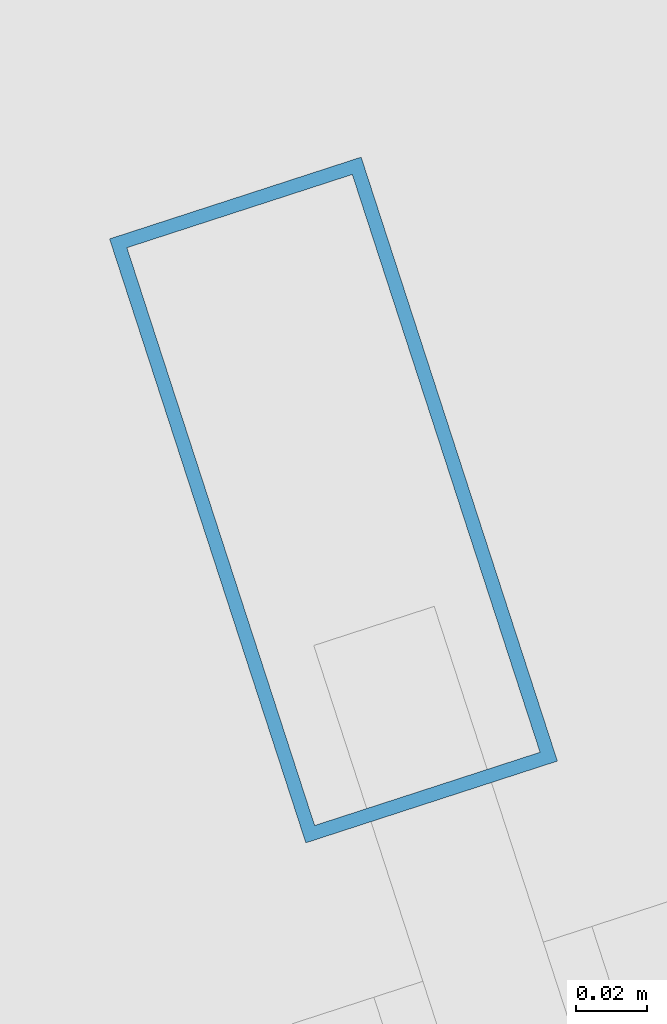
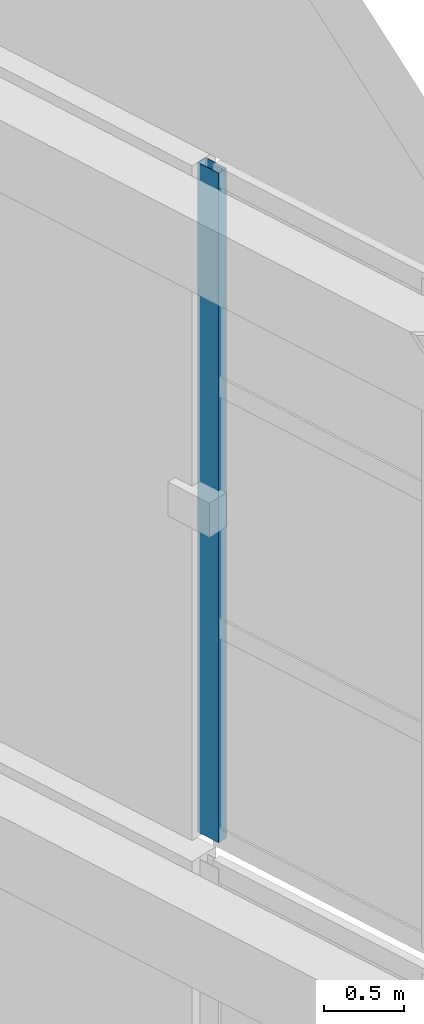
# One storey, part 43 of 56: 1 member, 1 element without a shape of its own.
"""IFC4 building model written with IfcOpenShell, lengths in metres."""

from ifc_helpers import new_model, si_unit, direction, frame, origin, origin_2d, place, context, subcontext, project, spatial, hollow_rectangle, extrude, material, layer, layer_set, material_profile, profile_set, type_object, element, aggregate, save


model = new_model("IFC4")

# Units and contexts
model_context = context("Model", 3, precision=1e-05, world=origin(), true_north=direction((0.0, 1.0)))
body_context = subcontext(model_context, "Body", "Model", "MODEL_VIEW")
ifc_project = project(units=[si_unit("LENGTHUNIT", "METRE"), si_unit("AREAUNIT", "SQUARE_METRE"), si_unit("VOLUMEUNIT", "CUBIC_METRE"), si_unit("PLANEANGLEUNIT", "RADIAN"), si_unit("MASSUNIT", "GRAM", prefix="KILO")], contexts=[model_context])

# Site, building, storey
site_placement = place(None, origin())
site = spatial("IfcSite", under=ifc_project, at=site_placement, CompositionType="ELEMENT")
building_placement = place(site_placement, origin())
building = spatial("IfcBuilding", under=site, at=building_placement, Name="Qiaolan Cultural Towers", CompositionType="ELEMENT")
storey_placement = place(building_placement, frame((0.0, 0.0, 250.39990234375)))
storey = spatial("IfcBuildingStorey", under=building, at=storey_placement, Name="L68", CompositionType="ELEMENT", Elevation=250.39990234375)

# Curtain wall, member
ifc_material_1 = material(Name="Unitized Anodized Aluminium Curtain Wall System", Category="aluminium")
ifc_layer = layer(ifc_material_1, 0.199951171875)
ifc_layer_set = layer_set([ifc_layer], Name="Unitized Anodized Aluminium Curtain Wall System")
curtain_wall_type = type_object("IfcCurtainWallType", Name="CWS-06", PredefinedType="NOTDEFINED", material=ifc_layer_set)
curtain_wall_placement = place(storey_placement, origin())
curtain_wall = element("IfcCurtainWall", 1, at=curtain_wall_placement, inside=storey, type_object=curtain_wall_type, Name="T2 Crown Tier 5 Fritted Screen Curtain Wall 3", PredefinedType="NOTDEFINED")
ifc_material_2 = material(Name="Extruded Aluminium 6063-T6", Category="aluminium")
ifc_material_profile = material_profile(ifc_material_2, hollow_rectangle(XDim=0.074951171875, YDim=0.179931640625, WallThickness=0.00390625, at=origin_2d()), Name="CWM-180x75x4")
ifc_profile_set = profile_set([ifc_material_profile], Name="Extruded Aluminium 6063-T6")
member_type = type_object("IfcMemberType", Name="CWS-06-MUL", PredefinedType="MULLION", material=ifc_profile_set)
member_placement = place(storey_placement, frame((101.40380859375, 43.722412109375, 21.300048828125), z_axis=(0.0, 0.0, 1.0), x_axis=(-0.951056535512, -0.309016935232, 0.0)))
member = element("IfcMember", 2, at=member_placement, type_object=member_type, Name="CW-6 mullion 7", PredefinedType="MULLION", context=body_context, shape_type="SweptSolid", body=[
    extrude(hollow_rectangle(XDim=0.074951171875, YDim=0.179931640625, WallThickness=0.00390625, at=origin_2d()), origin(), (0.0, 0.0, 1.0), 5.10009765625),
])
aggregate(curtain_wall, [member])

save(model, "model.ifc")
